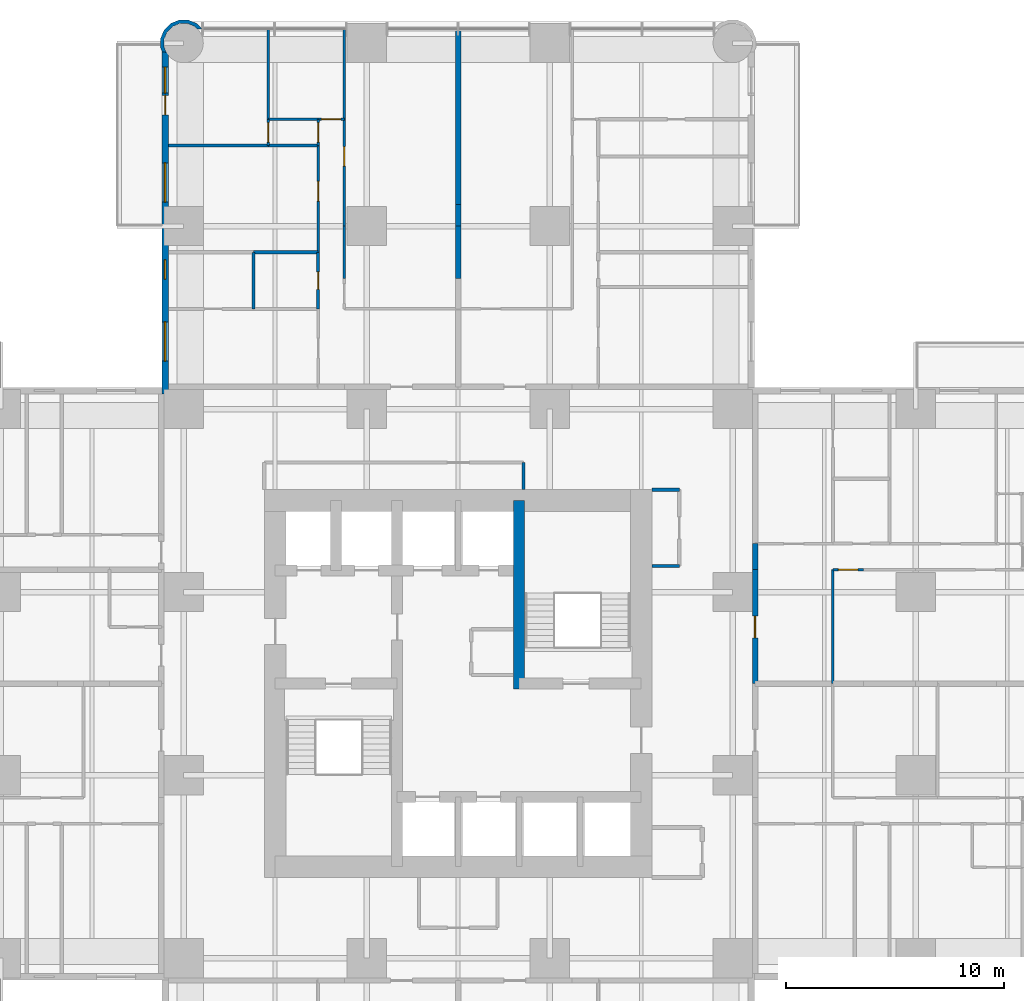
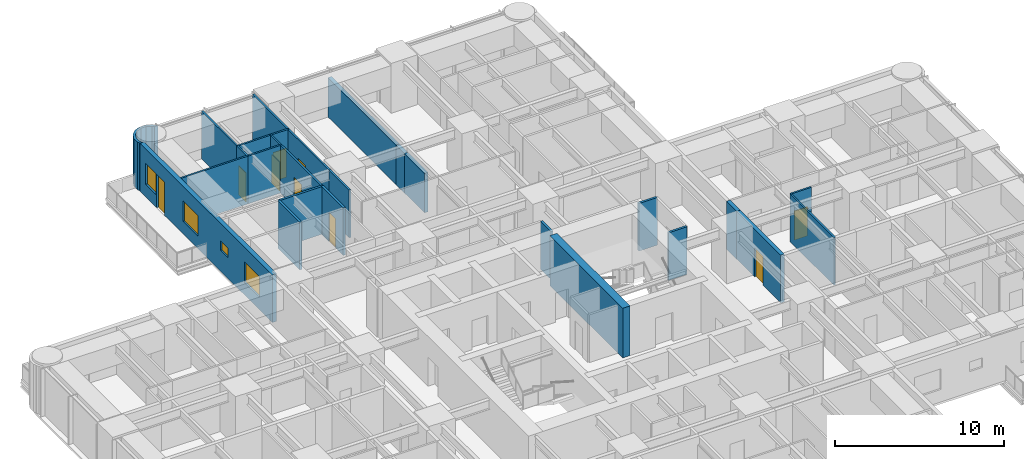
# One storey, part 13 of 17: 27 walls, 9 doors, 4 windows, 13 openings.
"""IFC4 building model written with IfcOpenShell, lengths in metres."""

from ifc_helpers import new_model, si_unit, direction, frame, frame_2d, origin, place, context, subcontext, project, spatial, polyline, rectangle, outline, extrude, material, layer, layer_set, type_object, element, fill, save


model = new_model("IFC4")

# Units and contexts
model_context = context("Model", 3, precision=1e-05, world=origin(), true_north=direction((0.0, 1.0)))
body_context = subcontext(model_context, "Body", "Model", "MODEL_VIEW")
ifc_project = project(units=[si_unit("LENGTHUNIT", "METRE"), si_unit("AREAUNIT", "SQUARE_METRE"), si_unit("VOLUMEUNIT", "CUBIC_METRE"), si_unit("PLANEANGLEUNIT", "RADIAN"), si_unit("MASSUNIT", "GRAM", prefix="KILO")], contexts=[model_context])

# Site, building, storey
site_placement = place(None, origin())
site = spatial("IfcSite", under=ifc_project, at=site_placement, CompositionType="ELEMENT")
building_placement = place(site_placement, origin())
building = spatial("IfcBuilding", under=site, at=building_placement, Name="Torre Alcanfor", CompositionType="ELEMENT")
storey_placement = place(building_placement, frame((0.0, 0.0, 48.89990234375)))
storey = spatial("IfcBuildingStorey", under=building, at=storey_placement, Name="L11", CompositionType="ELEMENT", Elevation=48.89990234375)

# Wall, opening, door
ifc_material_1 = material(Name="Concrete block masonry, hollow blocks NMX-C-404 9 MPa", Category="masonry")
ifc_layer_1 = layer(ifc_material_1, 0.25)
ifc_layer_set_1 = layer_set([ifc_layer_1], Name="Apartment entrance wall 250 EI 60")
wall_type_1 = type_object("IfcWallType", Name="Apartment entrance wall 250 EI 60", PredefinedType="PARTITIONING", material=ifc_layer_set_1)
wall_1_placement = place(storey_placement, frame((43.02490234375, 34.62890625, 0.0), z_axis=(0.0, 0.0, 1.0), x_axis=(0.0, -1.0, 0.0)))
wall_1 = element("IfcWall", 1, at=wall_1_placement, inside=storey, type_object=wall_type_1, Name="Partition L11-CORR / L11-E1-ZAG", PredefinedType="PARTITIONING", context=body_context, shape_type="SweptSolid", body=[
    extrude(rectangle(XDim=5.22900390625, YDim=0.25, at=frame_2d((2.614501953125, 0.0))), origin(), (0.0, 0.0, 1.0), 3.4501953125),
])
opening_1_placement = place(wall_1_placement, frame((2.12890625, 0.0, 0.0)))
opening_1 = element("IfcOpeningElement", 2, at=opening_1_placement, cuts=wall_1, Name="Opening D-A1", PredefinedType="OPENING", context=body_context, shape_type="SweptSolid", body=[
    extrude(rectangle(XDim=1.0, YDim=2.10009765625, at=frame_2d((0.5, 1.050048828125))), frame((0.0, 0.135009765625, 0.0), z_axis=(0.0, -1.0, 0.0), x_axis=(1.0, 0.0, 0.0)), (0.0, 0.0, 1.0), 0.27001953125),
])
ifc_material_2 = material(Name="Galvanised steel sheet ASTM A653", Category="steel")
door_type_1 = type_object("IfcDoorType", Name="Apartment entrance door FD60 1000x2100", OperationType="SINGLE_SWING_LEFT", PredefinedType="DOOR", material=ifc_material_2)
door_1_placement = place(opening_1_placement, origin())
door_1 = element("IfcDoor", 3, at=door_1_placement, inside=storey, type_object=door_type_1, Name="Apartment entrance L11-E1", OperationType="SINGLE_SWING_RIGHT", OverallHeight=2.10009765625, OverallWidth=1.0, PredefinedType="DOOR", context=body_context, shape_type="SweptSolid", body=[
    extrude(rectangle(XDim=1.0, YDim=2.10009765625, at=frame_2d((0.5, 1.050048828125))), frame((0.0, 0.02490234375, 0.0), z_axis=(0.0, -1.0, 0.0), x_axis=(1.0, 0.0, 0.0)), (0.0, 0.0, 1.0), 0.050048828125),
])
fill(opening_1, door_1)

# Walls
wall_2_placement = place(storey_placement, frame((43.02490234375, 35.8291015625, 0.0), z_axis=(0.0, 0.0, 1.0), x_axis=(0.0, -1.0, 0.0)))
element("IfcWall", 4, at=wall_2_placement, inside=storey, type_object=wall_type_1, Name="Partition L11-CORR / L11-E1-HALL", PredefinedType="PARTITIONING", context=body_context, shape_type="SweptSolid", body=[
    extrude(rectangle(XDim=1.2001953125, YDim=0.25, at=frame_2d((0.60009765625, 0.0))), origin(), (0.0, 0.0, 1.0), 3.4501953125),
])
ifc_material_3 = material(Name="Gypsum board on steel studs", Category="steel")
ifc_layer_2 = layer(ifc_material_3, 0.1201171875)
ifc_layer_set_2 = layer_set([ifc_layer_2], Name="Apartment partition 120")
wall_type_2 = type_object("IfcWallType", Name="Apartment partition 120", PredefinedType="PARTITIONING", material=ifc_layer_set_2)
wall_3_placement = place(storey_placement, frame((24.1708984375, 50.39990234375, 0.0), z_axis=(0.0, 0.0, 1.0), x_axis=(0.0, -1.0, 0.0)))
element("IfcWall", 5, at=wall_3_placement, inside=storey, type_object=wall_type_2, Name="Partition L11-N1-KITCHEN / L11-N1-HALL", PredefinedType="PARTITIONING", context=body_context, shape_type="SweptSolid", body=[
    extrude(rectangle(XDim=2.39990234375, YDim=0.1201171875, at=frame_2d((1.199951171875, 0.0))), origin(), (0.0, 0.0, 1.0), 3.4501953125),
])

# Wall, opening, door
wall_4_placement = place(storey_placement, frame((24.1708984375, 55.300048828125, 0.0), z_axis=(0.0, 0.0, 1.0), x_axis=(0.0, -1.0, 0.0)))
wall_4 = element("IfcWall", 6, at=wall_4_placement, inside=storey, type_object=wall_type_2, Name="Partition L11-N1-LIVING / L11-N1-HALL", PredefinedType="PARTITIONING", context=body_context, shape_type="SweptSolid", body=[
    extrude(rectangle(XDim=4.900146484375, YDim=0.1201171875, at=frame_2d((2.4501953125, 0.0))), origin(), (0.0, 0.0, 1.0), 3.4501953125),
])
opening_2_placement = place(wall_4_placement, frame((1.25, 0.0, 0.0)))
opening_2 = element("IfcOpeningElement", 7, at=opening_2_placement, cuts=wall_4, Name="Opening D-R1", PredefinedType="OPENING", context=body_context, shape_type="SweptSolid", body=[
    extrude(rectangle(XDim=0.89990234375, YDim=2.10009765625, at=frame_2d((0.449951171875, 1.050048828125))), frame((0.0, 0.070068359375, 0.0), z_axis=(0.0, -1.0, 0.0), x_axis=(1.0, 0.0, 0.0)), (0.0, 0.0, 1.0), 0.14013671875),
])
ifc_material_4 = material(Name="Timber", Category="wood")
door_type_2 = type_object("IfcDoorType", Name="Internal door 900x2100", OperationType="SINGLE_SWING_LEFT", PredefinedType="DOOR", material=ifc_material_4)
door_2_placement = place(opening_2_placement, origin())
door_2 = element("IfcDoor", 8, at=door_2_placement, inside=storey, type_object=door_type_2, Name="Door L11-N1 living", OperationType="SINGLE_SWING_RIGHT", OverallHeight=2.10009765625, OverallWidth=0.89990234375, PredefinedType="DOOR", context=body_context, shape_type="SweptSolid", body=[
    extrude(rectangle(XDim=0.89990234375, YDim=2.10009765625, at=frame_2d((0.449951171875, 1.050048828125))), frame((0.0, 0.02490234375, 0.0), z_axis=(0.0, -1.0, 0.0), x_axis=(1.0, 0.0, 0.0)), (0.0, 0.0, 1.0), 0.050048828125),
])
fill(opening_2, door_2)

# Wall
wall_5_placement = place(storey_placement, frame((24.1708984375, 59.449951171875, 0.0), z_axis=(0.0, 0.0, 1.0), x_axis=(0.0, -1.0, 0.0)))
element("IfcWall", 9, at=wall_5_placement, inside=storey, type_object=wall_type_2, Name="Partition L11-N1-LIVING / L11-N1-BED2", PredefinedType="PARTITIONING", context=body_context, shape_type="SweptSolid", body=[
    extrude(rectangle(XDim=4.14990234375, YDim=0.1201171875, at=frame_2d((2.074951171875, 0.0))), origin(), (0.0, 0.0, 1.0), 3.4501953125),
])

# Wall, opening, door
wall_6_placement = place(storey_placement, frame((22.970947265625, 54.10009765625, 0.0), z_axis=(0.0, 0.0, 1.0), x_axis=(0.0, -1.0, 0.0)))
wall_6 = element("IfcWall", 10, at=wall_6_placement, inside=storey, type_object=wall_type_2, Name="Partition L11-N1-HALL / L11-N1-BED3", PredefinedType="PARTITIONING", context=body_context, shape_type="SweptSolid", body=[
    extrude(rectangle(XDim=4.900146484375, YDim=0.1201171875, at=frame_2d((2.4501953125, 0.0))), origin(), (0.0, 0.0, 1.0), 3.4501953125),
])
opening_3_placement = place(wall_6_placement, frame((1.64990234375, 0.0, 0.0)))
opening_3 = element("IfcOpeningElement", 11, at=opening_3_placement, cuts=wall_6, Name="Opening D-R1", PredefinedType="OPENING", context=body_context, shape_type="SweptSolid", body=[
    extrude(rectangle(XDim=0.89990234375, YDim=2.10009765625, at=frame_2d((0.449951171875, 1.050048828125))), frame((0.0, 0.070068359375, 0.0), z_axis=(0.0, -1.0, 0.0), x_axis=(1.0, 0.0, 0.0)), (0.0, 0.0, 1.0), 0.14013671875),
])
door_3_placement = place(opening_3_placement, frame((0.89990234375, 0.0, 0.0), z_axis=(0.0, 0.0, 1.0), x_axis=(-1.0, 0.0, 0.0)))
door_3 = element("IfcDoor", 12, at=door_3_placement, inside=storey, type_object=door_type_2, Name="Door L11-N1 bed3", OperationType="SINGLE_SWING_RIGHT", OverallHeight=2.10009765625, OverallWidth=0.89990234375, PredefinedType="DOOR", context=body_context, shape_type="SweptSolid", body=[
    extrude(rectangle(XDim=0.89990234375, YDim=2.10009765625, at=frame_2d((0.449951171875, 1.050048828125))), frame((0.0, 0.025146484375, 0.0), z_axis=(0.0, -1.0, 0.0), x_axis=(1.0, 0.0, 0.0)), (0.0, 0.0, 1.0), 0.050048828125),
])
fill(opening_3, door_3)

wall_7_placement = place(storey_placement, frame((22.970947265625, 55.300048828125, 0.0), z_axis=(0.0, 0.0, 1.0), x_axis=(0.0, -1.0, 0.0)))
wall_7 = element("IfcWall", 13, at=wall_7_placement, inside=storey, type_object=wall_type_2, Name="Partition L11-N1-HALL / L11-N1-VEST", PredefinedType="PARTITIONING", context=body_context, shape_type="SweptSolid", body=[
    extrude(rectangle(XDim=1.199951171875, YDim=0.1201171875, at=frame_2d((0.60009765625, 0.0))), origin(), (0.0, 0.0, 1.0), 3.4501953125),
])
opening_4_placement = place(wall_7_placement, frame((0.14990234375, 0.0, 0.0)))
opening_4 = element("IfcOpeningElement", 14, at=opening_4_placement, cuts=wall_7, Name="Opening D-R1", PredefinedType="OPENING", context=body_context, shape_type="SweptSolid", body=[
    extrude(rectangle(XDim=0.89990234375, YDim=2.10009765625, at=frame_2d((0.449951171875, 1.050048828125))), frame((0.0, 0.070068359375, 0.0), z_axis=(0.0, -1.0, 0.0), x_axis=(1.0, 0.0, 0.0)), (0.0, 0.0, 1.0), 0.14013671875),
])
door_4_placement = place(opening_4_placement, frame((0.89990234375, 0.0, 0.0), z_axis=(0.0, 0.0, 1.0), x_axis=(-1.0, 0.0, 0.0)))
door_4 = element("IfcDoor", 15, at=door_4_placement, inside=storey, type_object=door_type_2, Name="Door L11-N1 vest", OperationType="SINGLE_SWING_RIGHT", OverallHeight=2.10009765625, OverallWidth=0.89990234375, PredefinedType="DOOR", context=body_context, shape_type="SweptSolid", body=[
    extrude(rectangle(XDim=0.89990234375, YDim=2.10009765625, at=frame_2d((0.449951171875, 1.050048828125))), frame((0.0, 0.025146484375, 0.0), z_axis=(0.0, -1.0, 0.0), x_axis=(1.0, 0.0, 0.0)), (0.0, 0.0, 1.0), 0.050048828125),
])
fill(opening_4, door_4)

wall_8_placement = place(storey_placement, frame((24.1708984375, 55.300048828125, 0.0), z_axis=(0.0, 0.0, 1.0), x_axis=(-1.0, 0.0, 0.0)))
wall_8 = element("IfcWall", 16, at=wall_8_placement, inside=storey, type_object=wall_type_2, Name="Partition L11-N1-HALL / L11-N1-BED2", PredefinedType="PARTITIONING", context=body_context, shape_type="SweptSolid", body=[
    extrude(rectangle(XDim=1.199951171875, YDim=0.1201171875, at=frame_2d((0.60009765625, 0.0))), origin(), (0.0, 0.0, 1.0), 3.4501953125),
])
opening_5_placement = place(wall_8_placement, frame((0.15087890625, 0.0, 0.0)))
opening_5 = element("IfcOpeningElement", 17, at=opening_5_placement, cuts=wall_8, Name="Opening D-R1", PredefinedType="OPENING", context=body_context, shape_type="SweptSolid", body=[
    extrude(rectangle(XDim=0.89990234375, YDim=2.10009765625, at=frame_2d((0.449951171875, 1.050048828125))), frame((0.0, 0.070068359375, 0.0), z_axis=(0.0, -1.0, 0.0), x_axis=(1.0, 0.0, 0.0)), (0.0, 0.0, 1.0), 0.14013671875),
])
door_5_placement = place(opening_5_placement, frame((0.89990234375, 0.0, 0.0), z_axis=(0.0, 0.0, 1.0), x_axis=(-1.0, 0.0, 0.0)))
door_5 = element("IfcDoor", 18, at=door_5_placement, inside=storey, type_object=door_type_2, Name="Door L11-N1 bed2", OperationType="SINGLE_SWING_RIGHT", OverallHeight=2.10009765625, OverallWidth=0.89990234375, PredefinedType="DOOR", context=body_context, shape_type="SweptSolid", body=[
    extrude(rectangle(XDim=0.89990234375, YDim=2.10009765625, at=frame_2d((0.449951171875, 1.050048828125))), frame((0.0, 0.025146484375, 0.0), z_axis=(0.0, -1.0, 0.0), x_axis=(1.0, 0.0, 0.0)), (0.0, 0.0, 1.0), 0.050048828125),
])
fill(opening_5, door_5)

# Walls
wall_9_placement = place(storey_placement, frame((22.970947265625, 54.10009765625, 0.0), z_axis=(0.0, 0.0, 1.0), x_axis=(-1.0, 0.0, 0.0)))
element("IfcWall", 19, at=wall_9_placement, inside=storey, type_object=wall_type_2, Name="Partition L11-N1-BED3 / L11-N1-VEST", PredefinedType="PARTITIONING", context=body_context, shape_type="SweptSolid", body=[
    extrude(rectangle(XDim=2.284912109375, YDim=0.1201171875, at=frame_2d((1.142578125, 0.0))), origin(), (0.0, 0.0, 1.0), 3.4501953125),
])
wall_10_placement = place(storey_placement, frame((20.68603515625, 54.10009765625, 0.0), z_axis=(0.0, 0.0, 1.0), x_axis=(-1.0, 0.0, 0.0)))
element("IfcWall", 20, at=wall_10_placement, inside=storey, type_object=wall_type_2, Name="Partition L11-N1-BED3 / L11-N1-MASTER", PredefinedType="PARTITIONING", context=body_context, shape_type="SweptSolid", body=[
    extrude(rectangle(XDim=4.5859375, YDim=0.1201171875, at=frame_2d((2.29296875, 0.0))), origin(), (0.0, 0.0, 1.0), 3.4501953125),
])
wall_11_placement = place(storey_placement, frame((22.970947265625, 55.300048828125, 0.0), z_axis=(0.0, 0.0, 1.0), x_axis=(-1.0, 0.0, 0.0)))
element("IfcWall", 21, at=wall_11_placement, inside=storey, type_object=wall_type_2, Name="Partition L11-N1-VEST / L11-N1-BED2", PredefinedType="PARTITIONING", context=body_context, shape_type="SweptSolid", body=[
    extrude(rectangle(XDim=2.284912109375, YDim=0.1201171875, at=frame_2d((1.142578125, 0.0))), origin(), (0.0, 0.0, 1.0), 3.4501953125),
])

# Wall, opening, door
wall_12_placement = place(storey_placement, frame((20.68603515625, 55.300048828125, 0.0), z_axis=(0.0, 0.0, 1.0), x_axis=(0.0, -1.0, 0.0)))
wall_12 = element("IfcWall", 22, at=wall_12_placement, inside=storey, type_object=wall_type_2, Name="Partition L11-N1-VEST / L11-N1-MASTER", PredefinedType="PARTITIONING", context=body_context, shape_type="SweptSolid", body=[
    extrude(rectangle(XDim=1.199951171875, YDim=0.1201171875, at=frame_2d((0.60009765625, 0.0))), origin(), (0.0, 0.0, 1.0), 3.4501953125),
])
opening_6_placement = place(wall_12_placement, frame((0.14990234375, 0.0, 0.0)))
opening_6 = element("IfcOpeningElement", 23, at=opening_6_placement, cuts=wall_12, Name="Opening D-R1", PredefinedType="OPENING", context=body_context, shape_type="SweptSolid", body=[
    extrude(rectangle(XDim=0.89990234375, YDim=2.10009765625, at=frame_2d((0.449951171875, 1.050048828125))), frame((0.0, 0.070068359375, 0.0), z_axis=(0.0, -1.0, 0.0), x_axis=(1.0, 0.0, 0.0)), (0.0, 0.0, 1.0), 0.14013671875),
])
door_6_placement = place(opening_6_placement, origin())
door_6 = element("IfcDoor", 24, at=door_6_placement, inside=storey, type_object=door_type_2, Name="Door L11-N1 master", OperationType="SINGLE_SWING_LEFT", OverallHeight=2.10009765625, OverallWidth=0.89990234375, PredefinedType="DOOR", context=body_context, shape_type="SweptSolid", body=[
    extrude(rectangle(XDim=0.89990234375, YDim=2.10009765625, at=frame_2d((0.449951171875, 1.050048828125))), frame((0.0, 0.02490234375, 0.0), z_axis=(0.0, -1.0, 0.0), x_axis=(1.0, 0.0, 0.0)), (0.0, 0.0, 1.0), 0.050048828125),
])
fill(opening_6, door_6)

# Walls
wall_13_placement = place(storey_placement, frame((20.68603515625, 59.449951171875, 0.0), z_axis=(0.0, 0.0, 1.0), x_axis=(0.0, -1.0, 0.0)))
element("IfcWall", 25, at=wall_13_placement, inside=storey, type_object=wall_type_2, Name="Partition L11-N1-BED2 / L11-N1-MASTER", PredefinedType="PARTITIONING", context=body_context, shape_type="SweptSolid", body=[
    extrude(rectangle(XDim=4.14990234375, YDim=0.1201171875, at=frame_2d((2.074951171875, 0.0))), origin(), (0.0, 0.0, 1.0), 3.4501953125),
])
wall_14_placement = place(storey_placement, frame((46.60009765625, 29.39990234375, 0.0), z_axis=(0.0, 0.0, 1.0), x_axis=(0.0, 1.0, 0.0)))
element("IfcWall", 26, at=wall_14_placement, inside=storey, type_object=wall_type_2, Name="Partition L11-E1-ZAG / L11-E1-LAUND", PredefinedType="PARTITIONING", context=body_context, shape_type="SweptSolid", body=[
    extrude(rectangle(XDim=5.22900390625, YDim=0.1201171875, at=frame_2d((2.614501953125, 0.0))), origin(), (0.0, 0.0, 1.0), 3.4501953125),
])

# Wall, opening, door
wall_15_placement = place(storey_placement, frame((48.0, 34.62890625, 0.0), z_axis=(0.0, 0.0, 1.0), x_axis=(-1.0, 0.0, 0.0)))
wall_15 = element("IfcWall", 27, at=wall_15_placement, inside=storey, type_object=wall_type_2, Name="Partition L11-E1-LAUND / L11-E1-HALL", PredefinedType="PARTITIONING", context=body_context, shape_type="SweptSolid", body=[
    extrude(rectangle(XDim=1.39990234375, YDim=0.1201171875, at=frame_2d((0.699951171875, 0.0))), origin(), (0.0, 0.0, 1.0), 3.4501953125),
])
opening_7_placement = place(wall_15_placement, frame((0.25, 0.0, 0.0)))
opening_7 = element("IfcOpeningElement", 28, at=opening_7_placement, cuts=wall_15, Name="Opening D-R1", PredefinedType="OPENING", context=body_context, shape_type="SweptSolid", body=[
    extrude(rectangle(XDim=0.89990234375, YDim=2.10009765625, at=frame_2d((0.449951171875, 1.050048828125))), frame((0.0, 0.070068359375, 0.0), z_axis=(0.0, -1.0, 0.0), x_axis=(1.0, 0.0, 0.0)), (0.0, 0.0, 1.0), 0.14013671875),
])
door_7_placement = place(opening_7_placement, origin())
door_7 = element("IfcDoor", 29, at=door_7_placement, inside=storey, type_object=door_type_2, Name="Door L11-E1 laund", OperationType="SINGLE_SWING_LEFT", OverallHeight=2.10009765625, OverallWidth=0.89990234375, PredefinedType="DOOR", context=body_context, shape_type="SweptSolid", body=[
    extrude(rectangle(XDim=0.89990234375, YDim=2.10009765625, at=frame_2d((0.449951171875, 1.050048828125))), frame((0.0, 0.02490234375, 0.0), z_axis=(0.0, -1.0, 0.0), x_axis=(1.0, 0.0, 0.0)), (0.0, 0.0, 1.0), 0.050048828125),
])
fill(opening_7, door_7)

# Wall
ifc_material_5 = material(Name="Concrete f'c 70 MPa", Category="concrete")
ifc_layer_3 = layer(ifc_material_5, 0.5)
ifc_layer_set_3 = layer_set([ifc_layer_3], Name="Core inner wall 500 f'c70")
wall_type_3 = type_object("IfcWallType", Name="Core inner wall 500 f'c70", PredefinedType="SHEAR", material=ifc_layer_set_3)
wall_16_placement = place(storey_placement, frame((32.199951171875, 29.14990234375, 0.0), z_axis=(0.0, 0.0, 1.0), x_axis=(0.0, 1.0, 0.0)))
element("IfcWall", 30, at=wall_16_placement, inside=storey, type_object=wall_type_3, Name="Core wall X322N L11", PredefinedType="SHEAR", context=body_context, shape_type="SweptSolid", body=[
    extrude(rectangle(XDim=8.650146484375, YDim=0.5, at=frame_2d((4.3251953125, 0.0))), origin(), (0.0, 0.0, 1.0), 3.60009765625),
])

# Wall, openings, door, windows
ifc_material_6 = material(Name="Limestone cladding", Category="masonry")
ifc_layer_4 = layer(ifc_material_6, 0.0400390625, Name="Facing")
ifc_material_7 = material(Name="Ventilated air cavity")
ifc_layer_5 = layer(ifc_material_7, 0.02001953125, ventilated=True, Name="Ventilated joint")
ifc_material_8 = material(Name="Mineral wool insulation", Category="insulation")
ifc_layer_6 = layer(ifc_material_8, 0.10009765625, Name="Insulation")
ifc_material_9 = material(Name="Concrete f'c 35 MPa", Category="concrete")
ifc_layer_7 = layer(ifc_material_9, 0.139892578125, Name="Backing")
ifc_layer_set_4 = layer_set([ifc_layer_4, ifc_layer_5, ifc_layer_6, ifc_layer_7], Name="External wall stone-clad 300")
wall_type_4 = type_object("IfcWallType", Name="External wall stone-clad 300", PredefinedType="SOLIDWALL", material=ifc_layer_set_4)
wall_17_placement = place(storey_placement, frame((15.949951171875, 58.39990234375, 0.0), z_axis=(0.0, 0.0, 1.0), x_axis=(0.0, -1.0, 0.0)))
wall_17 = element("IfcWall", 31, at=wall_17_placement, inside=storey, type_object=wall_type_4, Name="External wall L11 12", PredefinedType="SOLIDWALL", context=body_context, shape_type="SweptSolid", body=[
    extrude(rectangle(XDim=15.699951171875, YDim=0.300048828125, at=frame_2d((7.85009765625, 0.0))), origin(), (0.0, 0.0, 1.0), 3.4501953125),
])
opening_8_placement = place(wall_17_placement, frame((12.39990234375, 0.0, 0.89990234375)))
opening_8 = element("IfcOpeningElement", 32, at=opening_8_placement, cuts=wall_17, Name="Opening W2", PredefinedType="OPENING", context=body_context, shape_type="SweptSolid", body=[
    extrude(rectangle(XDim=1.800048828125, YDim=1.5, at=frame_2d((0.89990234375, 0.75))), frame((0.0, 0.159912109375, 0.0), z_axis=(0.0, -1.0, 0.0), x_axis=(1.0, 0.0, 0.0)), (0.0, 0.0, 1.0), 0.320068359375),
])
opening_9_placement = place(wall_17_placement, frame((9.550048828125, 0.0, 1.5)))
opening_9 = element("IfcOpeningElement", 33, at=opening_9_placement, cuts=wall_17, Name="Opening W3", PredefinedType="OPENING", context=body_context, shape_type="SweptSolid", body=[
    extrude(rectangle(XDim=0.89990234375, YDim=0.699951171875, at=frame_2d((0.449951171875, 0.35009765625))), frame((0.0, 0.159912109375, 0.0), z_axis=(0.0, -1.0, 0.0), x_axis=(1.0, 0.0, 0.0)), (0.0, 0.0, 1.0), 0.320068359375),
])
opening_10_placement = place(wall_17_placement, frame((5.10009765625, 0.0, 0.89990234375)))
opening_10 = element("IfcOpeningElement", 34, at=opening_10_placement, cuts=wall_17, Name="Opening W2", PredefinedType="OPENING", context=body_context, shape_type="SweptSolid", body=[
    extrude(rectangle(XDim=1.800048828125, YDim=1.5, at=frame_2d((0.89990234375, 0.75))), frame((0.0, 0.159912109375, 0.0), z_axis=(0.0, -1.0, 0.0), x_axis=(1.0, 0.0, 0.0)), (0.0, 0.0, 1.0), 0.320068359375),
])
opening_11_placement = place(wall_17_placement, frame((2.0, 0.0, 0.0)))
opening_11 = element("IfcOpeningElement", 35, at=opening_11_placement, cuts=wall_17, Name="Opening D-B1", PredefinedType="OPENING", context=body_context, shape_type="SweptSolid", body=[
    extrude(rectangle(XDim=0.89990234375, YDim=2.39990234375, at=frame_2d((0.449951171875, 1.199951171875))), frame((0.0, 0.159912109375, 0.0), z_axis=(0.0, -1.0, 0.0), x_axis=(1.0, 0.0, 0.0)), (0.0, 0.0, 1.0), 0.320068359375),
])
opening_12_placement = place(wall_17_placement, frame((0.699951171875, 0.0, 0.89990234375)))
opening_12 = element("IfcOpeningElement", 36, at=opening_12_placement, cuts=wall_17, Name="Opening W4", PredefinedType="OPENING", context=body_context, shape_type="SweptSolid", body=[
    extrude(rectangle(XDim=1.199951171875, YDim=1.5, at=frame_2d((0.60009765625, 0.75))), frame((0.0, 0.159912109375, 0.0), z_axis=(0.0, -1.0, 0.0), x_axis=(1.0, 0.0, 0.0)), (0.0, 0.0, 1.0), 0.320068359375),
])
ifc_material_10 = material(Name="Aluminium and glass", Category="aluminium")
door_type_3 = type_object("IfcDoorType", Name="Balcony door glazed 900x2400", OperationType="SINGLE_SWING_LEFT", PredefinedType="DOOR", material=ifc_material_10)
door_8_placement = place(opening_11_placement, origin())
door_8 = element("IfcDoor", 37, at=door_8_placement, inside=storey, type_object=door_type_3, Name="Balcony door L11-N1", OperationType="SINGLE_SWING_RIGHT", OverallHeight=2.39990234375, OverallWidth=0.89990234375, PredefinedType="DOOR", context=body_context, shape_type="SweptSolid", body=[
    extrude(rectangle(XDim=0.89990234375, YDim=2.39990234375, at=frame_2d((0.449951171875, 1.199951171875))), frame((0.0, 0.02490234375, 0.0), z_axis=(0.0, -1.0, 0.0), x_axis=(1.0, 0.0, 0.0)), (0.0, 0.0, 1.0), 0.050048828125),
])
fill(opening_11, door_8)
ifc_material_11 = material(Name="Aluminium frame with clear double glazing", Category="aluminium")
window_type_1 = type_object("IfcWindowType", Name="Window bathroom 900x700", PartitioningType="SINGLE_PANEL", PredefinedType="WINDOW", material=ifc_material_11)
window_1_placement = place(opening_9_placement, origin())
window_1 = element("IfcWindow", 38, at=window_1_placement, inside=storey, type_object=window_type_1, Name="Window W3 L11-N1", OverallHeight=0.699951171875, OverallWidth=0.89990234375, PartitioningType="SINGLE_PANEL", PredefinedType="WINDOW", context=body_context, shape_type="SweptSolid", body=[
    extrude(rectangle(XDim=0.89990234375, YDim=0.699951171875, at=frame_2d((0.449951171875, 0.35009765625))), frame((0.0, 0.030029296875, 0.0), z_axis=(0.0, -1.0, 0.0), x_axis=(1.0, 0.0, 0.0)), (0.0, 0.0, 1.0), 0.06005859375),
])
fill(opening_9, window_1)
ifc_material_12 = material(Name="Aluminium frame with clear double glazing", Category="aluminium")
window_type_2 = type_object("IfcWindowType", Name="Window bedroom 1200x1500", PartitioningType="SINGLE_PANEL", PredefinedType="WINDOW", material=ifc_material_12)
window_2_placement = place(opening_12_placement, origin())
window_2 = element("IfcWindow", 39, at=window_2_placement, inside=storey, type_object=window_type_2, Name="Window W4 L11-N1", OverallHeight=1.5, OverallWidth=1.199951171875, PartitioningType="SINGLE_PANEL", PredefinedType="WINDOW", context=body_context, shape_type="SweptSolid", body=[
    extrude(rectangle(XDim=1.199951171875, YDim=1.5, at=frame_2d((0.60009765625, 0.75))), frame((0.0, 0.030029296875, 0.0), z_axis=(0.0, -1.0, 0.0), x_axis=(1.0, 0.0, 0.0)), (0.0, 0.0, 1.0), 0.06005859375),
])
fill(opening_12, window_2)
ifc_material_13 = material(Name="Aluminium frame with clear double glazing", Category="aluminium")
window_type_3 = type_object("IfcWindowType", Name="Window bedroom 1800x1500", PartitioningType="SINGLE_PANEL", PredefinedType="WINDOW", material=ifc_material_13)
window_3_placement = place(opening_8_placement, origin())
window_3 = element("IfcWindow", 40, at=window_3_placement, inside=storey, type_object=window_type_3, Name="Window W2 L11-N1", OverallHeight=1.5, OverallWidth=1.800048828125, PartitioningType="SINGLE_PANEL", PredefinedType="WINDOW", context=body_context, shape_type="SweptSolid", body=[
    extrude(rectangle(XDim=1.800048828125, YDim=1.5, at=frame_2d((0.89990234375, 0.75))), frame((0.0, 0.030029296875, 0.0), z_axis=(0.0, -1.0, 0.0), x_axis=(1.0, 0.0, 0.0)), (0.0, 0.0, 1.0), 0.06005859375),
])
fill(opening_8, window_3)
window_4_placement = place(opening_10_placement, origin())
window_4 = element("IfcWindow", 41, at=window_4_placement, inside=storey, type_object=window_type_3, Name="Window W2 L11-N1", OverallHeight=1.5, OverallWidth=1.800048828125, PartitioningType="SINGLE_PANEL", PredefinedType="WINDOW", context=body_context, shape_type="SweptSolid", body=[
    extrude(rectangle(XDim=1.800048828125, YDim=1.5, at=frame_2d((0.89990234375, 0.75))), frame((0.0, 0.030029296875, 0.0), z_axis=(0.0, -1.0, 0.0), x_axis=(1.0, 0.0, 0.0)), (0.0, 0.0, 1.0), 0.06005859375),
])
fill(opening_10, window_4)

# Walls
ifc_material_14 = material(Name="Concrete block masonry, hollow blocks NMX-C-404 9 MPa", Category="masonry")
ifc_layer_8 = layer(ifc_material_14, 0.25)
ifc_layer_set_5 = layer_set([ifc_layer_8], Name="Party wall 250 EI 60")
wall_type_5 = type_object("IfcWallType", Name="Party wall 250 EI 60", PredefinedType="PARTITIONING", material=ifc_layer_set_5)
wall_18_placement = place(storey_placement, frame((29.39990234375, 48.0, 0.0), z_axis=(0.0, 0.0, 1.0), x_axis=(0.0, 1.0, 0.0)))
element("IfcWall", 42, at=wall_18_placement, inside=storey, type_object=wall_type_5, Name="Partition L11-N1-KITCHEN / L11-N2-KITCHEN", PredefinedType="PARTITIONING", context=body_context, shape_type="SweptSolid", body=[
    extrude(rectangle(XDim=2.39990234375, YDim=0.25, at=frame_2d((1.199951171875, 0.0))), origin(), (0.0, 0.0, 1.0), 2.84814453125),
])
wall_19_placement = place(storey_placement, frame((29.39990234375, 50.39990234375, 0.0), z_axis=(0.0, 0.0, 1.0), x_axis=(0.0, 1.0, 0.0)))
element("IfcWall", 43, at=wall_19_placement, inside=storey, type_object=wall_type_5, Name="Partition L11-N1-LIVING / L11-N2-KITCHEN", PredefinedType="PARTITIONING", context=body_context, shape_type="SweptSolid", body=[
    extrude(rectangle(XDim=1.0, YDim=0.25, at=frame_2d((0.5, 0.0))), origin(), (0.0, 0.0, 1.0), 2.84814453125),
])
wall_20_placement = place(storey_placement, frame((29.39990234375, 51.39990234375, 0.0), z_axis=(0.0, 0.0, 1.0), x_axis=(0.0, 1.0, 0.0)))
element("IfcWall", 44, at=wall_20_placement, inside=storey, type_object=wall_type_5, Name="Partition L11-N1-LIVING / L11-N2-LIVING", PredefinedType="PARTITIONING", context=body_context, shape_type="SweptSolid", body=[
    extrude(rectangle(XDim=8.050048828125, YDim=0.25, at=frame_2d((4.02490234375, 0.0))), origin(), (0.0, 0.0, 1.0), 2.84814453125),
])
ifc_material_15 = material(Name="Concrete block masonry, hollow blocks NMX-C-404 9 MPa", Category="masonry")
ifc_layer_9 = layer(ifc_material_15, 0.14990234375)
ifc_layer_set_6 = layer_set([ifc_layer_9], Name="Residents' room partition 150")
wall_type_6 = type_object("IfcWallType", Name="Residents' room partition 150", PredefinedType="PARTITIONING", material=ifc_layer_set_6)
for number, where, z_axis, x_axis, name in (
    (45, (32.39990234375, 38.300048828125, 0.0), (0.0, 0.0, 1.0), (0.0, 1.0, 0.0), "Partition L11-CORR / L11-G01"),
    (46, (38.300048828125, 34.800048828125, 0.0), (0.0, 0.0, 1.0), (1.0, 0.0, 0.0), "Partition L11-CORR / L11-G03"),
    (47, (39.550048828125, 38.300048828125, 0.0), (0.0, 0.0, 1.0), (-1.0, 0.0, 0.0), "Partition L11-CORR / L11-G03"),
):
    element("IfcWall", number, at=place(storey_placement, frame(where, z_axis=z_axis, x_axis=x_axis)), inside=storey, type_object=wall_type_6, Name=name, PredefinedType="PARTITIONING", context=body_context, shape_type="SweptSolid", body=[
        extrude(rectangle(XDim=1.25, YDim=0.14990234375, at=frame_2d((0.625, 0.0))), origin(), (0.0, 0.0, 1.0), 3.4501953125),
    ])
ifc_layer_10 = layer(ifc_material_6, 0.0400390625, Name="Facing")
ifc_layer_11 = layer(ifc_material_7, 0.02001953125, ventilated=True, Name="Ventilated joint")
ifc_layer_12 = layer(ifc_material_8, 0.10009765625, Name="Insulation")
ifc_layer_13 = layer(ifc_material_9, 0.139892578125, Name="Backing")
ifc_layer_set_7 = layer_set([ifc_layer_10, ifc_layer_11, ifc_layer_12, ifc_layer_13], Name="Rounded corner pier stone-clad 300")
wall_type_7 = type_object("IfcWallType", Name="Rounded corner pier stone-clad 300", PredefinedType="SOLIDWALL", material=ifc_layer_set_7)
wall_21_placement = place(storey_placement, frame((17.56659392, 59.410519256, 0.0), z_axis=(0.0, 0.0, 1.0), x_axis=(-0.377204953059, 0.926129809145, 0.0)))
element("IfcWall", 48, at=wall_21_placement, inside=storey, type_object=wall_type_7, Name="Corner pier L11 20", PredefinedType="SOLIDWALL", context=body_context, shape_type="SweptSolid", body=[
    extrude(outline(polyline([(-0.2696128896034876, 2.017259773730947), (-0.3700074466497617, 1.8406682313445892), (-0.10228391712117135, 1.84234447704578), (0.22963955939869596, 1.7071548112521016), (0.48448400216769655, 1.4552078217286728), (0.623591424193435, 1.1249193736895309), (0.6256953869469392, 0.7663384814459974), (0.4905057211532608, 0.43441500492612994), (0.23855873162983204, 0.17957056215712927), (0.0901868556189969, 0.11689353267829827), (0.010896458992050665, -0.07778365620699182), (0.024462813618203284, -0.08330911938656994), (0.3293875956360306, 0.04530321995417183), (0.4799529344667901, 0.19750641360159463), (0.4990544088845829, 0.19262629437695172), (0.507600976756774, 0.22526044306054033), (0.6260470289213595, 0.34520397592848606), (0.7850882774402169, 0.7356888832512456), (0.7822913942554518, 1.1572920874778148), (0.618751344370654, 1.5460366857348715), (0.3187584973433468, 1.8424700131097647), (-0.07172640997941271, 2.0015112616286217), (-0.24006791291721008, 2.0004813020300714), (-0.2696128896034876, 2.017259773730947)])), origin(), (0.0, 0.0, 1.0), 3.4501953125),
])

# Wall, opening, door
ifc_material_16 = material(Name="Cement board on steel studs", Category="steel")
ifc_layer_14 = layer(ifc_material_16, 0.14990234375)
ifc_layer_set_8 = layer_set([ifc_layer_14], Name="Wet area partition 150")
wall_type_8 = type_object("IfcWallType", Name="Wet area partition 150", PredefinedType="PARTITIONING", material=ifc_layer_set_8)
wall_22_placement = place(storey_placement, frame((22.970947265625, 49.199951171875, 0.0), z_axis=(0.0, 0.0, 1.0), x_axis=(0.0, -1.0, 0.0)))
wall_22 = element("IfcWall", 49, at=wall_22_placement, inside=storey, type_object=wall_type_8, Name="Partition L11-N1-HALL / L11-N1-BATH1", PredefinedType="PARTITIONING", context=body_context, shape_type="SweptSolid", body=[
    extrude(rectangle(XDim=2.599853515625, YDim=0.14990234375, at=frame_2d((1.2998046875, 0.0))), origin(), (0.0, 0.0, 1.0), 3.4501953125),
])
opening_13_placement = place(wall_22_placement, frame((0.89990234375, 0.0, 0.0)))
opening_13 = element("IfcOpeningElement", 50, at=opening_13_placement, cuts=wall_22, Name="Opening D-R2", PredefinedType="OPENING", context=body_context, shape_type="SweptSolid", body=[
    extrude(rectangle(XDim=0.800048828125, YDim=2.10009765625, at=frame_2d((0.39990234375, 1.050048828125))), frame((0.0, 0.0849609375, 0.0), z_axis=(0.0, -1.0, 0.0), x_axis=(1.0, 0.0, 0.0)), (0.0, 0.0, 1.0), 0.169921875),
])
ifc_material_17 = material(Name="Timber", Category="wood")
door_type_4 = type_object("IfcDoorType", Name="Bathroom door 800x2100", OperationType="SINGLE_SWING_LEFT", PredefinedType="DOOR", material=ifc_material_17)
door_9_placement = place(opening_13_placement, frame((0.800048828125, 0.0, 0.0), z_axis=(0.0, 0.0, 1.0), x_axis=(-1.0, 0.0, 0.0)))
door_9 = element("IfcDoor", 51, at=door_9_placement, inside=storey, type_object=door_type_4, Name="Door L11-N1 bath1", OperationType="SINGLE_SWING_RIGHT", OverallHeight=2.10009765625, OverallWidth=0.800048828125, PredefinedType="DOOR", context=body_context, shape_type="SweptSolid", body=[
    extrude(rectangle(XDim=0.800048828125, YDim=2.10009765625, at=frame_2d((0.400146484375, 1.050048828125))), frame((0.0, 0.025146484375, 0.0), z_axis=(0.0, -1.0, 0.0), x_axis=(1.0, 0.0, 0.0)), (0.0, 0.0, 1.0), 0.050048828125),
])
fill(opening_13, door_9)

# Walls
wall_23_placement = place(storey_placement, frame((20.0, 49.199951171875, 0.0), z_axis=(0.0, 0.0, 1.0), x_axis=(0.0, -1.0, 0.0)))
element("IfcWall", 52, at=wall_23_placement, inside=storey, type_object=wall_type_8, Name="Partition L11-N1-BATH1 / L11-N1-SBATH", PredefinedType="PARTITIONING", context=body_context, shape_type="SweptSolid", body=[
    extrude(rectangle(XDim=2.599853515625, YDim=0.14990234375, at=frame_2d((1.2998046875, 0.0))), origin(), (0.0, 0.0, 1.0), 3.4501953125),
])
wall_24_placement = place(storey_placement, frame((22.970947265625, 49.199951171875, 0.0), z_axis=(0.0, 0.0, 1.0), x_axis=(-1.0, 0.0, 0.0)))
element("IfcWall", 53, at=wall_24_placement, inside=storey, type_object=wall_type_8, Name="Partition L11-N1-BATH1 / L11-N1-BED3", PredefinedType="PARTITIONING", context=body_context, shape_type="SweptSolid", body=[
    extrude(rectangle(XDim=2.970947265625, YDim=0.14990234375, at=frame_2d((1.4853515625, 0.0))), origin(), (0.0, 0.0, 1.0), 3.4501953125),
])

save(model, "model.ifc")
